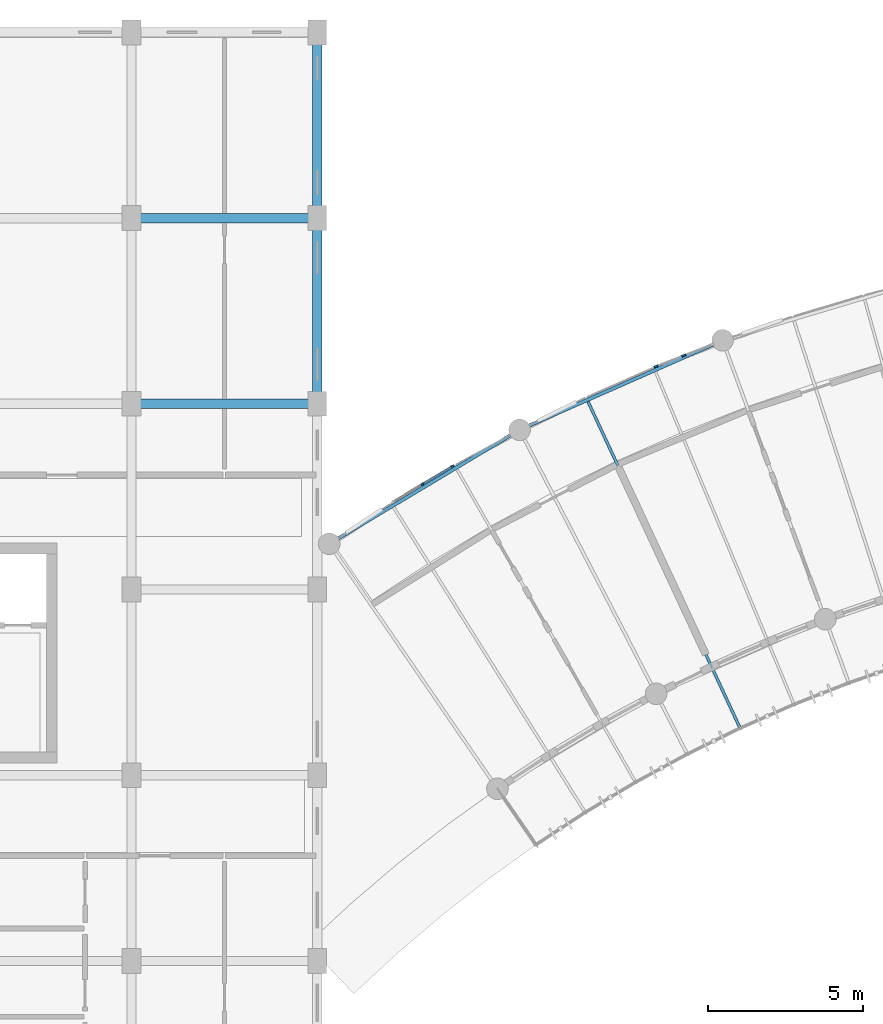
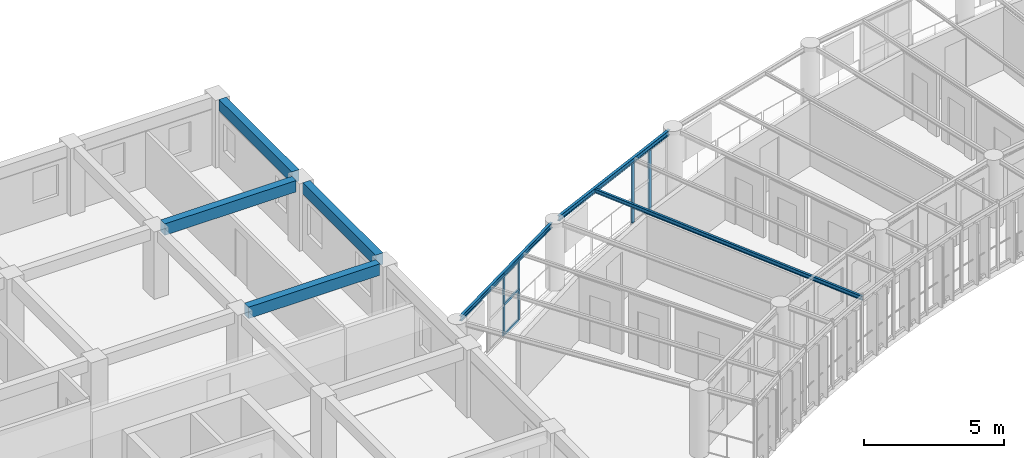
# One storey, part 52 of 137: 7 beams, 7 members, 2 elements without a shape of their own.
"""IFC4 building model written with IfcOpenShell, lengths in metres."""

from ifc_helpers import new_model, si_unit, direction, frame, origin, origin_2d, place, context, subcontext, project, spatial, rectangle, i_section, extrude, material, layer, layer_set, material_profile, profile_set, type_object, element, aggregate, save


model = new_model("IFC4")

# Units and contexts
model_context = context("Model", 3, precision=1e-05, world=origin(), true_north=direction((0.0, 1.0)))
body_context = subcontext(model_context, "Body", "Model", "MODEL_VIEW")
ifc_project = project(units=[si_unit("LENGTHUNIT", "METRE"), si_unit("AREAUNIT", "SQUARE_METRE"), si_unit("VOLUMEUNIT", "CUBIC_METRE"), si_unit("PLANEANGLEUNIT", "RADIAN"), si_unit("MASSUNIT", "GRAM", prefix="KILO"), si_unit("POWERUNIT", "WATT"), si_unit("THERMODYNAMICTEMPERATUREUNIT", "KELVIN")], contexts=[model_context])

# Site, building, storey
site_placement = place(None, origin())
site = spatial("IfcSite", under=ifc_project, at=site_placement, CompositionType="ELEMENT")
building_placement = place(site_placement, origin())
building = spatial("IfcBuilding", under=site, at=building_placement, Name="Ruvembo Vaulted Housing Court", CompositionType="ELEMENT")
storey_placement = place(building_placement, frame((0.0, 0.0, 4.5)))
storey = spatial("IfcBuildingStorey", under=building, at=storey_placement, Name="L01", CompositionType="ELEMENT", Elevation=4.5)

# Beams
ifc_material_1 = material(Name="Steel S355J2", Category="steel")
ifc_material_profile_1 = material_profile(ifc_material_1, i_section(OverallWidth=0.091064453125, OverallDepth=0.179931640625, WebThickness=0.00537109375, FlangeThickness=0.008056640625, FilletRadius=0.009033203125, at=origin_2d()), Name="IPE 180")
ifc_profile_set_1 = profile_set([ifc_material_profile_1], Name="Steel S355J2")
beam_type_1 = type_object("IfcBeamType", Name="BM-ST-IPE180", PredefinedType="JOIST", material=ifc_profile_set_1)
beam_placement = place(storey_placement, frame((92.744873046875, 102.07958984375, 2.85009765625), z_axis=(0.422190259357, -0.906507244816, 0.0), x_axis=(0.906507244816, 0.422190259357, 0.0)))
element("IfcBeam", 1, at=beam_placement, inside=storey, type_object=beam_type_1, Name="Scoop SC3 L01 Radial Steel Joist 4", PredefinedType="JOIST", context=body_context, shape_type="SweptSolid", body=[
    extrude(i_section(OverallWidth=0.091064453125, OverallDepth=0.179931640625, WebThickness=0.00537109375, FlangeThickness=0.008056640625, FilletRadius=0.009033203125, at=origin_2d()), origin(), (0.0, 0.0, 1.0), 11.69091796875),
])
ifc_material_profile_2 = material_profile(ifc_material_1, i_section(OverallWidth=0.110107421875, OverallDepth=0.219970703125, WebThickness=0.005859375, FlangeThickness=0.00927734375, FilletRadius=0.011962890625, at=origin_2d()), Name="IPE 220")
ifc_profile_set_2 = profile_set([ifc_material_profile_2], Name="Steel S355J2")
beam_type_2 = type_object("IfcBeamType", Name="BM-ST-IPE220", PredefinedType="SPANDREL", material=ifc_profile_set_2)
for number, where, z_axis, x_axis, name in (
    (2, (84.58349609375, 97.595703125, 2.83203125), (0.857906892843, 0.513805180213, 0.0), (-0.513805180213, 0.857906892843, 0.0), "Scoop SC3 L01 Chord Girder B0"),
    (3, (90.746337890625, 101.25341796875, 2.83203125), (0.915078219063, 0.403276397767, 0.0), (-0.403276397767, 0.915078219063, 0.0), "Scoop SC3 L01 Chord Girder B3"),
):
    element("IfcBeam", number, at=place(storey_placement, frame(where, z_axis=z_axis, x_axis=x_axis)), inside=storey, type_object=beam_type_2, Name=name, PredefinedType="SPANDREL", context=body_context, shape_type="SweptSolid", body=[
        extrude(i_section(OverallWidth=0.110107421875, OverallDepth=0.219970703125, WebThickness=0.005859375, FlangeThickness=0.00927734375, FilletRadius=0.011962890625, at=origin_2d()), origin(), (0.0, 0.0, 1.0), 6.708251953125),
    ])

# Curtain wall, members
ifc_material_2 = material(Name="Anodised Aluminium and Solar-Control Glass", Category="aluminium")
ifc_layer = layer(ifc_material_2, 0.1201171875, Name="Anodised Aluminium and Solar-Control Glass")
ifc_layer_set = layer_set([ifc_layer], Name="Anodised Aluminium and Solar-Control Glass")
curtain_wall_type = type_object("IfcCurtainWallType", Name="CW-SCOOP-GAL", PredefinedType="NOTDEFINED", material=ifc_layer_set)
curtain_wall_1_placement = place(storey_placement, origin())
curtain_wall_1 = element("IfcCurtainWall", 4, at=curtain_wall_1_placement, inside=storey, type_object=curtain_wall_type, Name="L01 Curtain Wall CW-L01-0059", PredefinedType="NOTDEFINED")
ifc_material_3 = material(Name="Anodised Aluminium 6063-T6", Category="aluminium")
ifc_material_profile_3 = material_profile(ifc_material_3, rectangle(XDim=0.054931640625, YDim=0.1201171875, at=origin_2d()), Name="ALU 55x120")
ifc_profile_set_3 = profile_set([ifc_material_profile_3], Name="Anodised Aluminium 6063-T6")
member_type_1 = type_object("IfcMemberType", Name="CW-MUL-55x120", PredefinedType="MULLION", material=ifc_profile_set_3)
member_1_placement = place(storey_placement, frame((87.41015625, 99.404052734375, 0.0), z_axis=(0.0, 0.0, 1.0), x_axis=(-0.513827980288, 0.85789323734, 0.0)))
member_1 = element("IfcMember", 5, at=member_1_placement, type_object=member_type_1, Name="CW6 mullion 2", PredefinedType="MULLION", context=body_context, shape_type="SweptSolid", body=[
    extrude(rectangle(XDim=0.054931640625, YDim=0.1201171875, at=origin_2d()), origin(), (0.0, 0.0, 1.0), 2.697998046875),
])
member_2_placement = place(storey_placement, frame((88.369140625, 99.978515625, 0.0), z_axis=(0.0, 0.0, 1.0), x_axis=(-0.513827980288, 0.85789323734, 0.0)))
member_2 = element("IfcMember", 6, at=member_2_placement, type_object=member_type_1, Name="CW6 mullion 3", PredefinedType="MULLION", context=body_context, shape_type="SweptSolid", body=[
    extrude(rectangle(XDim=0.054931640625, YDim=0.1201171875, at=origin_2d()), origin(), (0.0, 0.0, 1.0), 2.697998046875),
])

curtain_wall_2_placement = place(storey_placement, origin())
curtain_wall_2 = element("IfcCurtainWall", 7, at=curtain_wall_2_placement, inside=storey, type_object=curtain_wall_type, Name="L01 Curtain Wall CW-L01-0060", PredefinedType="NOTDEFINED")
ifc_material_profile_4 = material_profile(ifc_material_3, rectangle(XDim=0.06005859375, YDim=0.139892578125, at=origin_2d()), Name="ALU 60x140")
ifc_profile_set_4 = profile_set([ifc_material_profile_4], Name="Anodised Aluminium 6063-T6")
member_type_2 = type_object("IfcMemberType", Name="CW-MUL-60x140", PredefinedType="MULLION", material=ifc_profile_set_4)
member_3_placement = place(storey_placement, frame((94.944091796875, 103.208251953125, 0.0), z_axis=(0.0, 0.0, 1.0), x_axis=(-0.365033747989, 0.930994287216, 0.0)))
member_3 = element("IfcMember", 8, at=member_3_placement, type_object=member_type_2, Name="CW6 mullion 1", PredefinedType="MULLION", context=body_context, shape_type="SweptSolid", body=[
    extrude(rectangle(XDim=0.06005859375, YDim=0.139892578125, at=origin_2d()), origin(), (0.0, 0.0, 1.0), 2.697998046875),
])
member_4_placement = place(storey_placement, frame((95.843017578125, 103.560546875, 0.0), z_axis=(0.0, 0.0, 1.0), x_axis=(-0.365033747989, 0.930994287216, 0.0)))
member_4 = element("IfcMember", 9, at=member_4_placement, type_object=member_type_2, Name="CW6 mullion 2", PredefinedType="MULLION", context=body_context, shape_type="SweptSolid", body=[
    extrude(rectangle(XDim=0.06005859375, YDim=0.139892578125, at=origin_2d()), origin(), (0.0, 0.0, 1.0), 2.697998046875),
])
aggregate(curtain_wall_2, [member_3, member_4])

# Member
ifc_material_profile_5 = material_profile(ifc_material_3, rectangle(XDim=0.06005859375, YDim=0.10009765625, at=origin_2d()), Name="ALU 60x100")
ifc_profile_set_5 = profile_set([ifc_material_profile_5], Name="Anodised Aluminium 6063-T6")
member_type_3 = type_object("IfcMemberType", Name="CW-TRN-60x100", PredefinedType="USERDEFINED", material=ifc_profile_set_5)
member_5_placement = place(storey_placement, frame((87.43359375, 99.418212890625, 0.030029296875), z_axis=(0.857897997653, 0.513820032329, 0.0), x_axis=(-0.513820032329, 0.857897997653, 0.0)))
member_5 = element("IfcMember", 10, at=member_5_placement, type_object=member_type_3, Name="CW6 transom 2.1", ObjectType="TRANSOM", PredefinedType="USERDEFINED", context=body_context, shape_type="SweptSolid", body=[
    extrude(rectangle(XDim=0.06005859375, YDim=0.10009765625, at=origin_2d()), origin(), (0.0, 0.0, 1.0), 1.06298828125),
])

member_6_placement = place(storey_placement, frame((87.43359375, 99.418212890625, 1.34912109375), z_axis=(0.857897997653, 0.513820032329, 0.0), x_axis=(-0.513820032329, 0.857897997653, 0.0)))
member_6 = element("IfcMember", 11, at=member_6_placement, type_object=member_type_3, Name="CW6 transom 2.2", ObjectType="TRANSOM", PredefinedType="USERDEFINED", context=body_context, shape_type="SweptSolid", body=[
    extrude(rectangle(XDim=0.06005859375, YDim=0.10009765625, at=origin_2d()), origin(), (0.0, 0.0, 1.0), 1.06298828125),
])

member_7_placement = place(storey_placement, frame((87.43359375, 99.418212890625, 2.66796875), z_axis=(0.857897997653, 0.513820032329, 0.0), x_axis=(-0.513820032329, 0.857897997653, 0.0)))
member_7 = element("IfcMember", 12, at=member_7_placement, type_object=member_type_3, Name="CW6 transom 2.3", ObjectType="TRANSOM", PredefinedType="USERDEFINED", context=body_context, shape_type="SweptSolid", body=[
    extrude(rectangle(XDim=0.06005859375, YDim=0.10009765625, at=origin_2d()), origin(), (0.0, 0.0, 1.0), 1.06298828125),
])

aggregate(curtain_wall_1, [member_1, member_2, member_5, member_6, member_7])

# Beams
ifc_material_4 = material(Name="Concrete C35/45", Category="concrete")
ifc_material_profile_6 = material_profile(ifc_material_4, rectangle(XDim=0.300048828125, YDim=0.5, at=origin_2d()), Name="RC 300x500")
ifc_profile_set_6 = profile_set([ifc_material_profile_6], Name="Concrete C35/45")
beam_type_3 = type_object("IfcBeamType", Name="SP-RC-300x500", PredefinedType="SPANDREL", material=ifc_profile_set_6)
for number, where, z_axis, x_axis, name in (
    (13, (78.284912109375, 102.0, 2.695068359375), (1.0, 0.0, 0.0), (0.0, 1.0, 0.0), "L01 Grid Beam X #1283"),
    (14, (78.284912109375, 108.0, 2.695068359375), (1.0, 0.0, 0.0), (0.0, 1.0, 0.0), "L01 Grid Beam X #1295"),
):
    element("IfcBeam", number, at=place(storey_placement, frame(where, z_axis=z_axis, x_axis=x_axis)), inside=storey, type_object=beam_type_3, Name=name, PredefinedType="SPANDREL", context=body_context, shape_type="SweptSolid", body=[
        extrude(rectangle(XDim=0.300048828125, YDim=0.5, at=origin_2d()), origin(), (0.0, 0.0, 1.0), 5.43017578125),
    ])
for number, where, z_axis, x_axis, name in (
    (15, (84.0, 102.385009765625, 2.695068359375), (0.0, 1.0, 0.0), (-1.0, 0.0, 0.0), "L01 Grid Beam Y #1380"),
    (16, (84.0, 108.385009765625, 2.695068359375), (0.0, 1.0, 0.0), (-1.0, 0.0, 0.0), "L01 Grid Beam Y #1381"),
):
    element("IfcBeam", number, at=place(storey_placement, frame(where, z_axis=z_axis, x_axis=x_axis)), inside=storey, type_object=beam_type_3, Name=name, PredefinedType="SPANDREL", context=body_context, shape_type="SweptSolid", body=[
        extrude(rectangle(XDim=0.300048828125, YDim=0.5, at=origin_2d()), origin(), (0.0, 0.0, 1.0), 5.22998046875),
    ])

save(model, "model.ifc")
